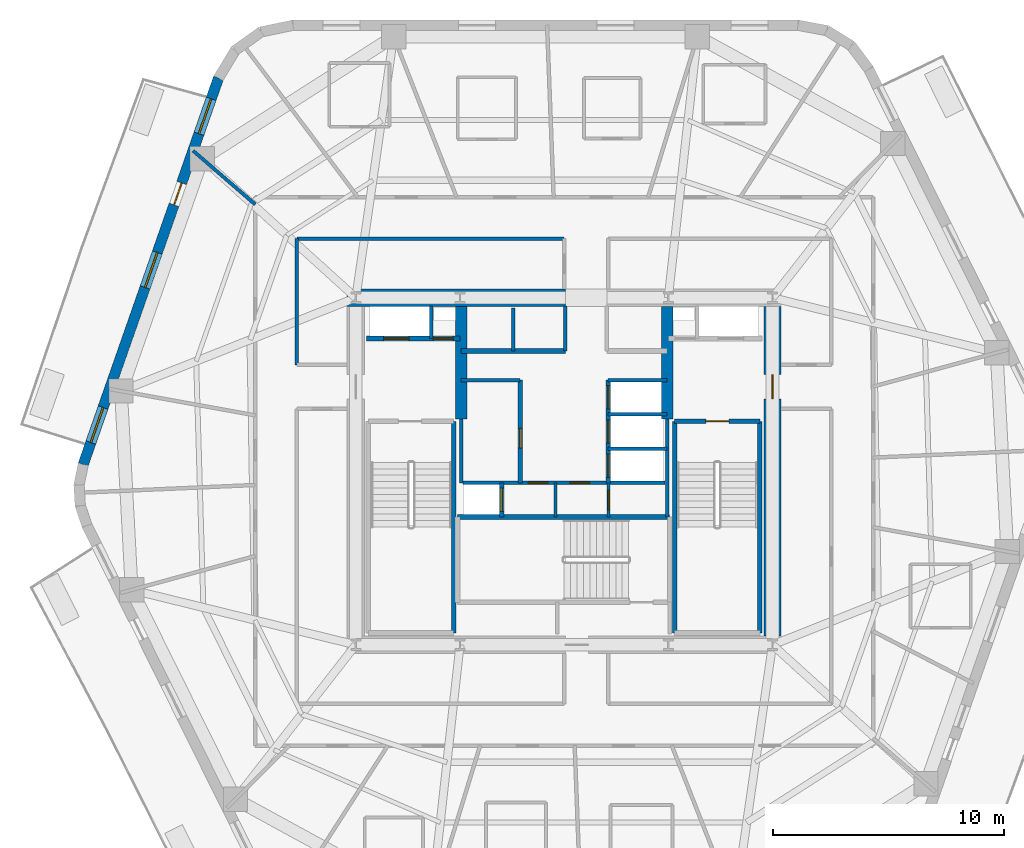
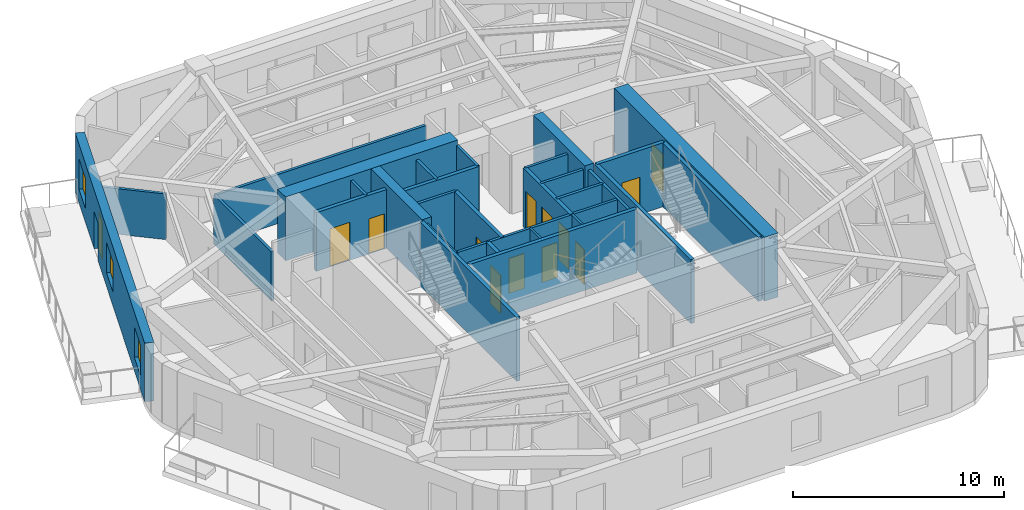
# One storey, part 4 of 10: 30 walls, 13 doors, 3 windows, 16 openings.
"""IFC4 building model written with IfcOpenShell, lengths in metres."""

from ifc_helpers import new_model, si_unit, direction, frame, frame_2d, origin, place, context, subcontext, project, spatial, rectangle, extrude, material, layer, layer_set, type_object, element, fill, save


model = new_model("IFC4")

# Units and contexts
model_context = context("Model", 3, precision=1e-05, world=origin(), true_north=direction((0.0, 1.0)))
body_context = subcontext(model_context, "Body", "Model", "MODEL_VIEW")
ifc_project = project(units=[si_unit("LENGTHUNIT", "METRE"), si_unit("AREAUNIT", "SQUARE_METRE"), si_unit("VOLUMEUNIT", "CUBIC_METRE"), si_unit("PLANEANGLEUNIT", "RADIAN"), si_unit("MASSUNIT", "GRAM", prefix="KILO")], contexts=[model_context])

# Site, building, storey
site_placement = place(None, origin())
site = spatial("IfcSite", under=ifc_project, at=site_placement, CompositionType="ELEMENT")
building_placement = place(site_placement, origin())
building = spatial("IfcBuilding", under=site, at=building_placement, Name="Kilnhurst Terrace Hotel", CompositionType="ELEMENT")
storey_placement = place(building_placement, frame((0.0, 0.0, 175.60009765625)))
storey = spatial("IfcBuildingStorey", under=building, at=storey_placement, Name="L43", CompositionType="ELEMENT", Elevation=175.60009765625)

# Wall, openings, door, windows
ifc_material_1 = material(Name="Precast concrete C40/50", Category="concrete")
ifc_layer_1 = layer(ifc_material_1, 0.449951171875, Name="Precast concrete C40/50")
ifc_layer_set_1 = layer_set([ifc_layer_1], Name="Precast concrete C40/50")
wall_type_1 = type_object("IfcWallType", Name="WL-BRK-450", PredefinedType="SOLIDWALL", material=ifc_layer_set_1)
wall_1_placement = place(storey_placement, frame((-14.936767578125, 16.993408203125, 0.0), z_axis=(0.0, 0.0, 1.0), x_axis=(-0.330431575061, -0.943829949834, 0.0)))
wall_1 = element("IfcWall", 1, at=wall_1_placement, inside=storey, type_object=wall_type_1, Name="L43 Exterior Brick Facade Wall F5", PredefinedType="SOLIDWALL", context=body_context, shape_type="SweptSolid", body=[
    extrude(rectangle(XDim=17.68896484375, YDim=0.449951171875, at=frame_2d((8.844482421875, 0.0))), origin(), (0.0, 0.0, 1.0), 3.39990234375),
])
opening_1_placement = place(wall_1_placement, frame((4.806884765625, 0.0, 0.0)))
opening_1 = element("IfcOpeningElement", 2, at=opening_1_placement, cuts=wall_1, Name="Opening BD-1000", PredefinedType="OPENING", context=body_context, shape_type="SweptSolid", body=[
    extrude(rectangle(XDim=1.0, YDim=2.14990234375, at=frame_2d((0.5, 1.074951171875))), frame((0.0, 0.23486328125, 0.0), z_axis=(0.0, -1.0, 0.0), x_axis=(1.0, 0.0, 0.0)), (0.0, 0.0, 1.0), 0.469970703125),
])
opening_2_placement = place(wall_1_placement, frame((0.949951171875, 0.0, 0.800048828125)))
opening_2 = element("IfcOpeningElement", 3, at=opening_2_placement, cuts=wall_1, Name="Opening W-05", PredefinedType="OPENING", context=body_context, shape_type="SweptSolid", body=[
    extrude(rectangle(XDim=1.60009765625, YDim=1.75, at=frame_2d((0.800048828125, 0.875))), frame((0.0, 0.23486328125, 0.0), z_axis=(0.0, -1.0, 0.0), x_axis=(1.0, 0.0, 0.0)), (0.0, 0.0, 1.0), 0.469970703125),
])
opening_3_placement = place(wall_1_placement, frame((7.989990234375, 0.0, 0.800048828125)))
opening_3 = element("IfcOpeningElement", 4, at=opening_3_placement, cuts=wall_1, Name="Opening W-05", PredefinedType="OPENING", context=body_context, shape_type="SweptSolid", body=[
    extrude(rectangle(XDim=1.60009765625, YDim=1.75, at=frame_2d((0.800048828125, 0.875))), frame((0.0, 0.23486328125, 0.0), z_axis=(0.0, -1.0, 0.0), x_axis=(1.0, 0.0, 0.0)), (0.0, 0.0, 1.0), 0.469970703125),
])
opening_4_placement = place(wall_1_placement, frame((15.083984375, 0.0, 0.800048828125)))
opening_4 = element("IfcOpeningElement", 5, at=opening_4_placement, cuts=wall_1, Name="Opening W-05", PredefinedType="OPENING", context=body_context, shape_type="SweptSolid", body=[
    extrude(rectangle(XDim=1.60009765625, YDim=1.75, at=frame_2d((0.800048828125, 0.875))), frame((0.0, 0.23486328125, 0.0), z_axis=(0.0, -1.0, 0.0), x_axis=(1.0, 0.0, 0.0)), (0.0, 0.0, 1.0), 0.469970703125),
])
ifc_material_2 = material(Name="Thermally Broken Bronze Aluminium Alloy 6063-T6 and Laminated Glass", Category="aluminium")
door_type_1 = type_object("IfcDoorType", Name="DR-EXT-BAL-1000", OperationType="NOTDEFINED", PredefinedType="DOOR", material=ifc_material_2)
door_1_placement = place(opening_1_placement, origin())
door_1 = element("IfcDoor", 6, at=door_1_placement, inside=storey, type_object=door_type_1, Name="L43 Planted Balcony Door BAL-L2A", OperationType="SINGLE_SWING_LEFT", OverallHeight=2.14990234375, OverallWidth=1.0, PredefinedType="DOOR", context=body_context, shape_type="SweptSolid", body=[
    extrude(rectangle(XDim=1.0, YDim=2.14990234375, at=frame_2d((0.5, 1.074951171875))), frame((0.0, 0.02490234375, 0.0), z_axis=(0.0, -1.0, 0.0), x_axis=(1.0, 0.0, 0.0)), (0.0, 0.0, 1.0), 0.050048828125),
])
fill(opening_1, door_1)
ifc_material_3 = material(Name="Thermally Broken Bronze Aluminium Alloy 6063-T6 and Low-E Glass", Category="aluminium")
window_type = type_object("IfcWindowType", Name="WIN-1600X1750", PartitioningType="SINGLE_PANEL", PredefinedType="WINDOW", material=ifc_material_3)
window_1_placement = place(opening_2_placement, origin())
window_1 = element("IfcWindow", 7, at=window_1_placement, inside=storey, type_object=window_type, Name="L43 Deep-Set Masonry Window F5.1", OverallHeight=1.75, OverallWidth=1.60009765625, PartitioningType="SINGLE_PANEL", PredefinedType="WINDOW", context=body_context, shape_type="SweptSolid", body=[
    extrude(rectangle(XDim=1.60009765625, YDim=1.75, at=frame_2d((0.800048828125, 0.875))), frame((0.0, 0.030029296875, 0.0), z_axis=(0.0, -1.0, 0.0), x_axis=(1.0, 0.0, 0.0)), (0.0, 0.0, 1.0), 0.06005859375),
])
fill(opening_2, window_1)
window_2_placement = place(opening_3_placement, origin())
window_2 = element("IfcWindow", 8, at=window_2_placement, inside=storey, type_object=window_type, Name="L43 Deep-Set Masonry Window F5.2", OverallHeight=1.75, OverallWidth=1.60009765625, PartitioningType="SINGLE_PANEL", PredefinedType="WINDOW", context=body_context, shape_type="SweptSolid", body=[
    extrude(rectangle(XDim=1.60009765625, YDim=1.75, at=frame_2d((0.800048828125, 0.875))), frame((0.0, 0.030029296875, 0.0), z_axis=(0.0, -1.0, 0.0), x_axis=(1.0, 0.0, 0.0)), (0.0, 0.0, 1.0), 0.06005859375),
])
fill(opening_3, window_2)
window_3_placement = place(opening_4_placement, origin())
window_3 = element("IfcWindow", 9, at=window_3_placement, inside=storey, type_object=window_type, Name="L43 Deep-Set Masonry Window F5.3", OverallHeight=1.75, OverallWidth=1.60009765625, PartitioningType="SINGLE_PANEL", PredefinedType="WINDOW", context=body_context, shape_type="SweptSolid", body=[
    extrude(rectangle(XDim=1.60009765625, YDim=1.75, at=frame_2d((0.800048828125, 0.875))), frame((0.0, 0.030029296875, 0.0), z_axis=(0.0, -1.0, 0.0), x_axis=(1.0, 0.0, 0.0)), (0.0, 0.0, 1.0), 0.06005859375),
])
fill(opening_4, window_3)

# Walls
ifc_material_4 = material(Name="Acoustic Double-Gypsum Corridor Partition Assembly")
ifc_layer_2 = layer(ifc_material_4, 0.14990234375, Name="Acoustic Double-Gypsum Corridor Partition Assembly")
ifc_layer_set_2 = layer_set([ifc_layer_2], Name="Acoustic Double-Gypsum Corridor Partition Assembly")
wall_type_2 = type_object("IfcWallType", Name="WL-COR-150", PredefinedType="PARTITIONING", material=ifc_layer_set_2)
wall_2_placement = place(storey_placement, frame((0.0, 10.050048828125, 0.0), z_axis=(0.0, 0.0, 1.0), x_axis=(-1.0, 0.0, 0.0)))
element("IfcWall", 10, at=wall_2_placement, inside=storey, type_object=wall_type_2, Name="L43 Interior Wall WL-L43-COR-12", PredefinedType="PARTITIONING", context=body_context, shape_type="SweptSolid", body=[
    extrude(rectangle(XDim=11.550048828125, YDim=0.14990234375, at=frame_2d((5.77490234375, 0.0))), origin(), (0.0, 0.0, 1.0), 2.83984375),
])
wall_3_placement = place(storey_placement, frame((-11.550048828125, 10.050048828125, 0.0), z_axis=(0.0, 0.0, 1.0), x_axis=(0.0, -1.0, 0.0)))
element("IfcWall", 11, at=wall_3_placement, inside=storey, type_object=wall_type_2, Name="L43 Interior Wall WL-L43-COR-13", PredefinedType="PARTITIONING", context=body_context, shape_type="SweptSolid", body=[
    extrude(rectangle(XDim=5.449951171875, YDim=0.14990234375, at=frame_2d((2.72509765625, 0.0))), origin(), (0.0, 0.0, 1.0), 2.83984375),
])
ifc_material_5 = material(Name="Concrete C60/75", Category="concrete")
ifc_layer_3 = layer(ifc_material_5, 0.75, Name="Concrete C60/75")
ifc_layer_set_3 = layer_set([ifc_layer_3], Name="Concrete C60/75")
wall_type_3 = type_object("IfcWallType", Name="WL-CORE-750", PredefinedType="SHEAR", material=ifc_layer_set_3)
wall_4_placement = place(storey_placement, frame((-9.375, 7.5, 0.0), z_axis=(0.0, 0.0, 1.0), x_axis=(1.0, 0.0, 0.0)))
element("IfcWall", 12, at=wall_4_placement, inside=storey, type_object=wall_type_3, Name="L43 Core North West Shear Wall", PredefinedType="SHEAR", context=body_context, shape_type="SweptSolid", body=[
    extrude(rectangle(XDim=9.425048828125, YDim=0.75, at=frame_2d((4.71240234375, 0.0))), origin(), (0.0, 0.0, 1.0), 3.699951171875),
])

# Wall, opening, door
wall_5_placement = place(storey_placement, frame((9.0, -7.125, 0.0), z_axis=(0.0, 0.0, 1.0), x_axis=(0.0, 1.0, 0.0)))
wall_5 = element("IfcWall", 13, at=wall_5_placement, inside=storey, type_object=wall_type_3, Name="L43 Core East Shear Wall", PredefinedType="SHEAR", context=body_context, shape_type="SweptSolid", body=[
    extrude(rectangle(XDim=14.25, YDim=0.75, at=frame_2d((7.125, 0.0))), origin(), (0.0, 0.0, 1.0), 3.699951171875),
])
opening_5_placement = place(wall_5_placement, frame((10.25, 0.0, 0.0)))
opening_5 = element("IfcOpeningElement", 14, at=opening_5_placement, cuts=wall_5, Name="Opening D-90A", PredefinedType="OPENING", context=body_context, shape_type="SweptSolid", body=[
    extrude(rectangle(XDim=1.050048828125, YDim=2.14990234375, at=frame_2d((0.52490234375, 1.074951171875))), frame((0.0, 0.385009765625, 0.0), z_axis=(0.0, -1.0, 0.0), x_axis=(1.0, 0.0, 0.0)), (0.0, 0.0, 1.0), 0.77001953125),
])
ifc_material_6 = material(Name="Painted Hollow Metal Steel ASTM A36 Fire Door", Category="steel")
door_type_2 = type_object("IfcDoorType", Name="DR-FD90-1050", OperationType="NOTDEFINED", PredefinedType="DOOR", material=ifc_material_6)
door_2_placement = place(opening_5_placement, origin())
door_2 = element("IfcDoor", 15, at=door_2_placement, inside=storey, type_object=door_type_2, Name="L43 East Firefighting Lobby Door", OperationType="SINGLE_SWING_LEFT", OverallHeight=2.14990234375, OverallWidth=1.050048828125, PredefinedType="DOOR", context=body_context, shape_type="SweptSolid", body=[
    extrude(rectangle(XDim=1.050048828125, YDim=2.14990234375, at=frame_2d((0.52490234375, 1.074951171875))), frame((0.0, 0.02490234375, 0.0), z_axis=(0.0, -1.0, 0.0), x_axis=(1.0, 0.0, 0.0)), (0.0, 0.0, 1.0), 0.050048828125),
])
fill(opening_5, door_2)

# Walls
ifc_layer_4 = layer(ifc_material_5, 0.5, Name="Concrete C60/75")
ifc_layer_set_4 = layer_set([ifc_layer_4], Name="Concrete C60/75")
wall_type_4 = type_object("IfcWallType", Name="WL-CORE-WEB-500", PredefinedType="SHEAR", material=ifc_layer_set_4)
for number, where, z_axis, x_axis, name in (
    (16, (-4.449951171875, 2.25, 0.0), (0.0, 0.0, 1.0), (0.0, 1.0, 0.0), "L43 Core Internal West Shear Web"),
    (17, (4.449951171875, 2.25, 0.0), (0.0, 0.0, 1.0), (0.0, 1.0, 0.0), "L43 Core Internal East Shear Web"),
):
    element("IfcWall", number, at=place(storey_placement, frame(where, z_axis=z_axis, x_axis=x_axis)), inside=storey, type_object=wall_type_4, Name=name, PredefinedType="SHEAR", context=body_context, shape_type="SweptSolid", body=[
        extrude(rectangle(XDim=4.875, YDim=0.5, at=frame_2d((2.4375, 0.0))), origin(), (0.0, 0.0, 1.0), 3.699951171875),
    ])
ifc_material_7 = material(Name="STC-58 Acoustic Twin-Frame Guestroom Demising Partition")
ifc_layer_5 = layer(ifc_material_7, 0.14990234375, Name="STC-58 Acoustic Twin-Frame Guestroom Demising Partition")
ifc_layer_set_5 = layer_set([ifc_layer_5], Name="STC-58 Acoustic Twin-Frame Guestroom Demising Partition")
wall_type_5 = type_object("IfcWallType", Name="WL-DEM-150", PredefinedType="PARTITIONING", material=ifc_layer_set_5)
wall_6_placement = place(storey_placement, frame((-13.35009765625, 11.53271484375, 0.0), z_axis=(0.0, 0.0, 1.0), x_axis=(-0.756711647314, 0.65374879183, 0.0)))
element("IfcWall", 18, at=wall_6_placement, inside=storey, type_object=wall_type_5, Name="L43 Interior Wall WL-L43-DEM-COL05-09-1", PredefinedType="PARTITIONING", context=body_context, shape_type="SweptSolid", body=[
    extrude(rectangle(XDim=3.549560546875, YDim=0.14990234375, at=frame_2d((1.77490234375, 0.0))), origin(), (0.0, 0.0, 1.0), 2.639892578125),
])
ifc_material_8 = material(Name="120 mm Moisture-Resistant Tile-Backed Bathroom Partition")
ifc_layer_6 = layer(ifc_material_8, 0.1201171875, Name="120 mm Moisture-Resistant Tile-Backed Bathroom Partition")
ifc_layer_set_6 = layer_set([ifc_layer_6], Name="120 mm Moisture-Resistant Tile-Backed Bathroom Partition")
wall_type_6 = type_object("IfcWallType", Name="WL-PART-120", PredefinedType="PARTITIONING", material=ifc_layer_set_6)
wall_7_placement = place(storey_placement, frame((-0.3798828125, -1.971923828125, 0.0), z_axis=(0.0, 0.0, 1.0), x_axis=(0.0, 1.0, 0.0)))
element("IfcWall", 19, at=wall_7_placement, inside=storey, type_object=wall_type_6, Name="L43 Interior Wall WL-L43-BOH-C1", PredefinedType="PARTITIONING", context=body_context, shape_type="SweptSolid", body=[
    extrude(rectangle(XDim=1.471923828125, YDim=0.1201171875, at=frame_2d((0.73583984375, 0.0))), origin(), (0.0, 0.0, 1.0), 3.39990234375),
])

# Wall, opening, door
wall_8_placement = place(storey_placement, frame((1.919921875, -1.971923828125, 0.0), z_axis=(0.0, 0.0, 1.0), x_axis=(0.0, 1.0, 0.0)))
wall_8 = element("IfcWall", 20, at=wall_8_placement, inside=storey, type_object=wall_type_6, Name="L43 Interior Wall WL-L43-BOH-C2", PredefinedType="PARTITIONING", context=body_context, shape_type="SweptSolid", body=[
    extrude(rectangle(XDim=1.471923828125, YDim=0.1201171875, at=frame_2d((0.73583984375, 0.0))), origin(), (0.0, 0.0, 1.0), 3.39990234375),
])
opening_6_placement = place(wall_8_placement, frame((0.300048828125, 0.0, 0.0)))
opening_6 = element("IfcOpeningElement", 21, at=opening_6_placement, cuts=wall_8, Name="Opening D-08A", PredefinedType="OPENING", context=body_context, shape_type="SweptSolid", body=[
    extrude(rectangle(XDim=0.85009765625, YDim=2.030029296875, at=frame_2d((0.425048828125, 1.01513671875))), frame((0.0, 0.070068359375, 0.0), z_axis=(0.0, -1.0, 0.0), x_axis=(1.0, 0.0, 0.0)), (0.0, 0.0, 1.0), 0.14013671875),
])
ifc_material_9 = material(Name="Moisture-Resistant Lacquered En-suite Bathroom Door")
door_type_3 = type_object("IfcDoorType", Name="DR-INT-850", OperationType="NOTDEFINED", PredefinedType="DOOR", material=ifc_material_9)
door_3_placement = place(opening_6_placement, origin())
door_3 = element("IfcDoor", 22, at=door_3_placement, inside=storey, type_object=door_type_3, Name="L43 Staff Restroom Door", OperationType="SINGLE_SWING_RIGHT", OverallHeight=2.030029296875, OverallWidth=0.85009765625, PredefinedType="DOOR", context=body_context, shape_type="SweptSolid", body=[
    extrude(rectangle(XDim=0.85009765625, YDim=2.030029296875, at=frame_2d((0.425048828125, 1.01513671875))), frame((0.0, 0.02490234375, 0.0), z_axis=(0.0, -1.0, 0.0), x_axis=(1.0, 0.0, 0.0)), (0.0, 0.0, 1.0), 0.050048828125),
])
fill(opening_6, door_3)

# Walls
ifc_material_10 = material(Name="Fire-Rated Gypsum Shaftliner Assembly")
ifc_layer_7 = layer(ifc_material_10, 0.14990234375, Name="Fire-Rated Gypsum Shaftliner Assembly")
ifc_layer_set_7 = layer_set([ifc_layer_7], Name="Fire-Rated Gypsum Shaftliner Assembly")
wall_type_7 = type_object("IfcWallType", Name="WL-SHAFT-150", PredefinedType="PARTITIONING", material=ifc_layer_set_7)
wall_9_placement = place(storey_placement, frame((-5.75, 5.739990234375, 0.0), z_axis=(0.0, 0.0, 1.0), x_axis=(0.0, 1.0, 0.0)))
element("IfcWall", 23, at=wall_9_placement, inside=storey, type_object=wall_type_7, Name="L43 Interior Wall WL-L43-RIS1-DIV", PredefinedType="PARTITIONING", context=body_context, shape_type="SweptSolid", body=[
    extrude(rectangle(XDim=1.409912109375, YDim=0.14990234375, at=frame_2d((0.705078125, 0.0))), origin(), (0.0, 0.0, 1.0), 3.39990234375),
])
wall_10_placement = place(storey_placement, frame((-2.199951171875, 5.199951171875, 0.0), z_axis=(0.0, 0.0, 1.0), x_axis=(0.0, 1.0, 0.0)))
element("IfcWall", 24, at=wall_10_placement, inside=storey, type_object=wall_type_7, Name="L43 Interior Wall WL-L43-HR-DIV1", PredefinedType="PARTITIONING", context=body_context, shape_type="SweptSolid", body=[
    extrude(rectangle(XDim=1.85009765625, YDim=0.14990234375, at=frame_2d((0.925048828125, 0.0))), origin(), (0.0, 0.0, 1.0), 3.39990234375),
])
wall_11_placement = place(storey_placement, frame((0.050048828125, 5.199951171875, 0.0), z_axis=(0.0, 0.0, 1.0), x_axis=(0.0, 1.0, 0.0)))
element("IfcWall", 25, at=wall_11_placement, inside=storey, type_object=wall_type_7, Name="L43 Interior Wall WL-L43-HR-PORTAL-W", PredefinedType="PARTITIONING", context=body_context, shape_type="SweptSolid", body=[
    extrude(rectangle(XDim=1.949951171875, YDim=0.14990234375, at=frame_2d((0.97509765625, 0.0))), origin(), (0.0, 0.0, 1.0), 3.39990234375),
])
wall_12_placement = place(storey_placement, frame((-4.449951171875, -0.5, 0.0), z_axis=(0.0, 0.0, 1.0), x_axis=(0.0, 1.0, 0.0)))
element("IfcWall", 26, at=wall_12_placement, inside=storey, type_object=wall_type_7, Name="L43 Interior Wall WL-L43-XLOB-W", PredefinedType="PARTITIONING", context=body_context, shape_type="SweptSolid", body=[
    extrude(rectangle(XDim=2.75, YDim=0.14990234375, at=frame_2d((1.375, 0.0))), origin(), (0.0, 0.0, 1.0), 3.39990234375),
])
wall_13_placement = place(storey_placement, frame((4.449951171875, -1.971923828125, 0.0), z_axis=(0.0, 0.0, 1.0), x_axis=(0.0, 1.0, 0.0)))
element("IfcWall", 27, at=wall_13_placement, inside=storey, type_object=wall_type_7, Name="L43 Interior Wall WL-L43-XLOB-E", PredefinedType="PARTITIONING", context=body_context, shape_type="SweptSolid", body=[
    extrude(rectangle(XDim=4.221923828125, YDim=0.14990234375, at=frame_2d((2.11083984375, 0.0))), origin(), (0.0, 0.0, 1.0), 3.39990234375),
])
for number, where, z_axis, x_axis, name in (
    (28, (-4.449951171875, 3.93994140625, 0.0), (0.0, 0.0, 1.0), (1.0, 0.0, 0.0), "L43 Interior Wall WL-L43-LR-NORTH"),
    (29, (1.89990234375, 3.93994140625, 0.0), (0.0, 0.0, 1.0), (1.0, 0.0, 0.0), "L43 Interior Wall WL-L43-MR-NORTH"),
    (30, (1.89990234375, 0.97998046875, 0.0), (0.0, 0.0, 1.0), (1.0, 0.0, 0.0), "L43 Interior Wall WL-L43-MR-D1"),
    (31, (1.89990234375, 2.4599609375, 0.0), (0.0, 0.0, 1.0), (1.0, 0.0, 0.0), "L43 Interior Wall WL-L43-MR-D2"),
):
    element("IfcWall", number, at=place(storey_placement, frame(where, z_axis=z_axis, x_axis=x_axis)), inside=storey, type_object=wall_type_7, Name=name, PredefinedType="PARTITIONING", context=body_context, shape_type="SweptSolid", body=[
        extrude(rectangle(XDim=2.550048828125, YDim=0.14990234375, at=frame_2d((1.27490234375, 0.0))), origin(), (0.0, 0.0, 1.0), 3.39990234375),
    ])

# Wall, openings, doors
wall_14_placement = place(storey_placement, frame((-4.360107421875, -0.489990234375, 0.0), z_axis=(0.0, 0.0, 1.0), x_axis=(1.0, 0.0, 0.0)))
wall_14 = element("IfcWall", 32, at=wall_14_placement, inside=storey, type_object=wall_type_7, Name="L43 Interior Wall WL-L43-BOH-N", PredefinedType="PARTITIONING", context=body_context, shape_type="SweptSolid", body=[
    extrude(rectangle(XDim=8.72021484375, YDim=0.14990234375, at=frame_2d((4.360107421875, 0.0))), origin(), (0.0, 0.0, 1.0), 3.39990234375),
])
opening_7_placement = place(wall_14_placement, frame((2.81005859375, 0.0, 0.0)))
opening_7 = element("IfcOpeningElement", 33, at=opening_7_placement, cuts=wall_14, Name="Opening D-60D", PredefinedType="OPENING", context=body_context, shape_type="SweptSolid", body=[
    extrude(rectangle(XDim=0.85009765625, YDim=2.030029296875, at=frame_2d((0.425048828125, 1.01513671875))), frame((0.0, 0.0849609375, 0.0), z_axis=(0.0, -1.0, 0.0), x_axis=(1.0, 0.0, 0.0)), (0.0, 0.0, 1.0), 0.169921875),
])
opening_8_placement = place(wall_14_placement, frame((4.610107421875, 0.0, 0.0)))
opening_8 = element("IfcOpeningElement", 34, at=opening_8_placement, cuts=wall_14, Name="Opening D-60D", PredefinedType="OPENING", context=body_context, shape_type="SweptSolid", body=[
    extrude(rectangle(XDim=0.85009765625, YDim=2.030029296875, at=frame_2d((0.425048828125, 1.01513671875))), frame((0.0, 0.0849609375, 0.0), z_axis=(0.0, -1.0, 0.0), x_axis=(1.0, 0.0, 0.0)), (0.0, 0.0, 1.0), 0.169921875),
])
ifc_material_11 = material(Name="Painted Hollow Metal Steel ASTM A36 Riser Door", Category="steel")
door_type_4 = type_object("IfcDoorType", Name="DR-FD60-850", OperationType="NOTDEFINED", PredefinedType="DOOR", material=ifc_material_11)
door_4_placement = place(opening_7_placement, origin())
door_4 = element("IfcDoor", 35, at=door_4_placement, inside=storey, type_object=door_type_4, Name="L43 Housekeeping Station Door", OperationType="SINGLE_SWING_LEFT", OverallHeight=2.030029296875, OverallWidth=0.85009765625, PredefinedType="DOOR", context=body_context, shape_type="SweptSolid", body=[
    extrude(rectangle(XDim=0.85009765625, YDim=2.030029296875, at=frame_2d((0.425048828125, 1.01513671875))), frame((0.0, 0.02490234375, 0.0), z_axis=(0.0, -1.0, 0.0), x_axis=(1.0, 0.0, 0.0)), (0.0, 0.0, 1.0), 0.050048828125),
])
fill(opening_7, door_4)
door_5_placement = place(opening_8_placement, origin())
door_5 = element("IfcDoor", 36, at=door_5_placement, inside=storey, type_object=door_type_4, Name="L43 Beverage Pantry Door", OperationType="SINGLE_SWING_RIGHT", OverallHeight=2.030029296875, OverallWidth=0.85009765625, PredefinedType="DOOR", context=body_context, shape_type="SweptSolid", body=[
    extrude(rectangle(XDim=0.85009765625, YDim=2.030029296875, at=frame_2d((0.425048828125, 1.01513671875))), frame((0.0, 0.02490234375, 0.0), z_axis=(0.0, -1.0, 0.0), x_axis=(1.0, 0.0, 0.0)), (0.0, 0.0, 1.0), 0.050048828125),
])
fill(opening_8, door_5)

ifc_material_12 = material(Name="Autoclaved Aerated Concrete C30/37 and Gypsum Shaft Assembly", Category="concrete")
ifc_layer_8 = layer(ifc_material_12, 0.199951171875, Name="Autoclaved Aerated Concrete C30/37 and Gypsum Shaft Assembly")
ifc_layer_set_8 = layer_set([ifc_layer_8], Name="Autoclaved Aerated Concrete C30/37 and Gypsum Shaft Assembly")
wall_type_8 = type_object("IfcWallType", Name="WL-SHAFT-200", PredefinedType="PARTITIONING", material=ifc_layer_set_8)
wall_15_placement = place(storey_placement, frame((-8.550048828125, 5.739990234375, 0.0), z_axis=(0.0, 0.0, 1.0), x_axis=(1.0, 0.0, 0.0)))
wall_15 = element("IfcWall", 37, at=wall_15_placement, inside=storey, type_object=wall_type_8, Name="L43 Interior Wall WL-L43-FSAE1-S", PredefinedType="PARTITIONING", context=body_context, shape_type="SweptSolid", body=[
    extrude(rectangle(XDim=4.050048828125, YDim=0.199951171875, at=frame_2d((2.02490234375, 0.0))), origin(), (0.0, 0.0, 1.0), 3.39990234375),
])
opening_9_placement = place(wall_15_placement, frame((0.75, 0.0, 0.0)))
opening_9 = element("IfcOpeningElement", 38, at=opening_9_placement, cuts=wall_15, Name="Opening LD-F1", PredefinedType="OPENING", context=body_context, shape_type="SweptSolid", body=[
    extrude(rectangle(XDim=1.10009765625, YDim=2.199951171875, at=frame_2d((0.550048828125, 1.10009765625))), frame((0.0, 0.10986328125, 0.0), z_axis=(0.0, -1.0, 0.0), x_axis=(1.0, 0.0, 0.0)), (0.0, 0.0, 1.0), 0.219970703125),
])
opening_10_placement = place(wall_15_placement, frame((2.89990234375, 0.0, 0.0)))
opening_10 = element("IfcOpeningElement", 39, at=opening_10_placement, cuts=wall_15, Name="Opening D-60D", PredefinedType="OPENING", context=body_context, shape_type="SweptSolid", body=[
    extrude(rectangle(XDim=0.85009765625, YDim=2.030029296875, at=frame_2d((0.425048828125, 1.01513671875))), frame((0.0, 0.10986328125, 0.0), z_axis=(0.0, -1.0, 0.0), x_axis=(1.0, 0.0, 0.0)), (0.0, 0.0, 1.0), 0.219970703125),
])
door_6_placement = place(opening_10_placement, origin())
door_6 = element("IfcDoor", 40, at=door_6_placement, inside=storey, type_object=door_type_4, Name="L43 Electrical Riser Door", OperationType="SINGLE_SWING_LEFT", OverallHeight=2.030029296875, OverallWidth=0.85009765625, PredefinedType="DOOR", context=body_context, shape_type="SweptSolid", body=[
    extrude(rectangle(XDim=0.85009765625, YDim=2.030029296875, at=frame_2d((0.425048828125, 1.01513671875))), frame((0.0, 0.02490234375, 0.0), z_axis=(0.0, -1.0, 0.0), x_axis=(1.0, 0.0, 0.0)), (0.0, 0.0, 1.0), 0.050048828125),
])
fill(opening_10, door_6)
ifc_material_13 = material(Name="Bronze-Anodized Stainless Steel AISI 316L Sliding Door", Category="steel")
door_type_5 = type_object("IfcDoorType", Name="DR-LIFT-1100", OperationType="NOTDEFINED", PredefinedType="DOOR", material=ifc_material_13)
door_7_placement = place(opening_9_placement, origin())
door_7 = element("IfcDoor", 41, at=door_7_placement, inside=storey, type_object=door_type_5, Name="L43 FSAE-1 Landing Door", OperationType="SLIDING_TO_LEFT", OverallHeight=2.199951171875, OverallWidth=1.10009765625, PredefinedType="DOOR", context=body_context, shape_type="SweptSolid", body=[
    extrude(rectangle(XDim=1.10009765625, YDim=2.199951171875, at=frame_2d((0.550048828125, 1.10009765625))), frame((0.0, 0.02490234375, 0.0), z_axis=(0.0, -1.0, 0.0), x_axis=(1.0, 0.0, 0.0)), (0.0, 0.0, 1.0), 0.050048828125),
])
fill(opening_9, door_7)

# Wall, opening, door
wall_16_placement = place(storey_placement, frame((-2.699951171875, -1.971923828125, 0.0), z_axis=(0.0, 0.0, 1.0), x_axis=(0.0, 1.0, 0.0)))
wall_16 = element("IfcWall", 42, at=wall_16_placement, inside=storey, type_object=wall_type_8, Name="L43 Interior Wall WL-L43-SRV1-E", PredefinedType="PARTITIONING", context=body_context, shape_type="SweptSolid", body=[
    extrude(rectangle(XDim=1.471923828125, YDim=0.199951171875, at=frame_2d((0.73583984375, 0.0))), origin(), (0.0, 0.0, 1.0), 3.39990234375),
])
opening_11_placement = place(wall_16_placement, frame((0.239990234375, 0.0, 0.0)))
opening_11 = element("IfcOpeningElement", 43, at=opening_11_placement, cuts=wall_16, Name="Opening LD-SV", PredefinedType="OPENING", context=body_context, shape_type="SweptSolid", body=[
    extrude(rectangle(XDim=1.0, YDim=2.199951171875, at=frame_2d((0.5, 1.10009765625))), frame((0.0, 0.10986328125, 0.0), z_axis=(0.0, -1.0, 0.0), x_axis=(1.0, 0.0, 0.0)), (0.0, 0.0, 1.0), 0.219970703125),
])
door_type_6 = type_object("IfcDoorType", Name="DR-LIFT-1000", OperationType="NOTDEFINED", PredefinedType="DOOR", material=ifc_material_13)
door_8_placement = place(opening_11_placement, origin())
door_8 = element("IfcDoor", 44, at=door_8_placement, inside=storey, type_object=door_type_6, Name="L43 Service Lift SRV-1 Landing Door", OperationType="SLIDING_TO_LEFT", OverallHeight=2.199951171875, OverallWidth=1.0, PredefinedType="DOOR", context=body_context, shape_type="SweptSolid", body=[
    extrude(rectangle(XDim=1.0, YDim=2.199951171875, at=frame_2d((0.5, 1.10009765625))), frame((0.0, 0.02490234375, 0.0), z_axis=(0.0, -1.0, 0.0), x_axis=(1.0, 0.0, 0.0)), (0.0, 0.0, 1.0), 0.050048828125),
])
fill(opening_11, door_8)

# Wall
wall_17_placement = place(storey_placement, frame((-4.449951171875, 5.199951171875, 0.0), z_axis=(0.0, 0.0, 1.0), x_axis=(1.0, 0.0, 0.0)))
element("IfcWall", 45, at=wall_17_placement, inside=storey, type_object=wall_type_8, Name="L43 Interior Wall WL-L43-HR-SW", PredefinedType="PARTITIONING", context=body_context, shape_type="SweptSolid", body=[
    extrude(rectangle(XDim=4.5, YDim=0.199951171875, at=frame_2d((2.25, 0.0))), origin(), (0.0, 0.0, 1.0), 3.39990234375),
])

# Wall, opening, door
wall_18_placement = place(storey_placement, frame((-1.89990234375, -0.5, 0.0), z_axis=(0.0, 0.0, 1.0), x_axis=(0.0, 1.0, 0.0)))
wall_18 = element("IfcWall", 46, at=wall_18_placement, inside=storey, type_object=wall_type_8, Name="L43 Interior Wall WL-L43-LR-FRONT", PredefinedType="PARTITIONING", context=body_context, shape_type="SweptSolid", body=[
    extrude(rectangle(XDim=4.43994140625, YDim=0.199951171875, at=frame_2d((2.219970703125, 0.0))), origin(), (0.0, 0.0, 1.0), 3.39990234375),
])
opening_12_placement = place(wall_18_placement, frame((1.5, 0.0, 0.0)))
opening_12 = element("IfcOpeningElement", 47, at=opening_12_placement, cuts=wall_18, Name="Opening D-60D", PredefinedType="OPENING", context=body_context, shape_type="SweptSolid", body=[
    extrude(rectangle(XDim=0.85009765625, YDim=2.030029296875, at=frame_2d((0.425048828125, 1.01513671875))), frame((0.0, 0.10986328125, 0.0), z_axis=(0.0, -1.0, 0.0), x_axis=(1.0, 0.0, 0.0)), (0.0, 0.0, 1.0), 0.219970703125),
])
door_9_placement = place(opening_12_placement, origin())
door_9 = element("IfcDoor", 48, at=door_9_placement, inside=storey, type_object=door_type_4, Name="L43 Reclaimed Linen Room Door", OperationType="SINGLE_SWING_LEFT", OverallHeight=2.030029296875, OverallWidth=0.85009765625, PredefinedType="DOOR", context=body_context, shape_type="SweptSolid", body=[
    extrude(rectangle(XDim=0.85009765625, YDim=2.030029296875, at=frame_2d((0.425048828125, 1.01513671875))), frame((0.0, 0.02490234375, 0.0), z_axis=(0.0, -1.0, 0.0), x_axis=(1.0, 0.0, 0.0)), (0.0, 0.0, 1.0), 0.050048828125),
])
fill(opening_12, door_9)

# Wall, openings, doors
wall_19_placement = place(storey_placement, frame((1.89990234375, -0.5, 0.0), z_axis=(0.0, 0.0, 1.0), x_axis=(0.0, 1.0, 0.0)))
wall_19 = element("IfcWall", 49, at=wall_19_placement, inside=storey, type_object=wall_type_8, Name="L43 Interior Wall WL-L43-MR-FRONT", PredefinedType="PARTITIONING", context=body_context, shape_type="SweptSolid", body=[
    extrude(rectangle(XDim=4.43994140625, YDim=0.199951171875, at=frame_2d((2.219970703125, 0.0))), origin(), (0.0, 0.0, 1.0), 3.39990234375),
])
opening_13_placement = place(wall_19_placement, frame((0.239990234375, 0.0, 0.0)))
opening_13 = element("IfcOpeningElement", 50, at=opening_13_placement, cuts=wall_19, Name="Opening LD-MR", PredefinedType="OPENING", context=body_context, shape_type="SweptSolid", body=[
    extrude(rectangle(XDim=1.0, YDim=2.199951171875, at=frame_2d((0.5, 1.10009765625))), frame((0.0, 0.10986328125, 0.0), z_axis=(0.0, -1.0, 0.0), x_axis=(1.0, 0.0, 0.0)), (0.0, 0.0, 1.0), 0.219970703125),
])
opening_14_placement = place(wall_19_placement, frame((1.719970703125, 0.0, 0.0)))
opening_14 = element("IfcOpeningElement", 51, at=opening_14_placement, cuts=wall_19, Name="Opening LD-MR", PredefinedType="OPENING", context=body_context, shape_type="SweptSolid", body=[
    extrude(rectangle(XDim=1.0, YDim=2.199951171875, at=frame_2d((0.5, 1.10009765625))), frame((0.0, 0.10986328125, 0.0), z_axis=(0.0, -1.0, 0.0), x_axis=(1.0, 0.0, 0.0)), (0.0, 0.0, 1.0), 0.219970703125),
])
opening_15_placement = place(wall_19_placement, frame((3.199951171875, 0.0, 0.0)))
opening_15 = element("IfcOpeningElement", 52, at=opening_15_placement, cuts=wall_19, Name="Opening LD-MR", PredefinedType="OPENING", context=body_context, shape_type="SweptSolid", body=[
    extrude(rectangle(XDim=1.0, YDim=2.199951171875, at=frame_2d((0.5, 1.10009765625))), frame((0.0, 0.10986328125, 0.0), z_axis=(0.0, -1.0, 0.0), x_axis=(1.0, 0.0, 0.0)), (0.0, 0.0, 1.0), 0.219970703125),
])
door_10_placement = place(opening_13_placement, origin())
door_10 = element("IfcDoor", 53, at=door_10_placement, inside=storey, type_object=door_type_6, Name="L43 Mid Rise Lift MR-1 Landing Door", OperationType="SLIDING_TO_RIGHT", OverallHeight=2.199951171875, OverallWidth=1.0, PredefinedType="DOOR", context=body_context, shape_type="SweptSolid", body=[
    extrude(rectangle(XDim=1.0, YDim=2.199951171875, at=frame_2d((0.5, 1.10009765625))), frame((0.0, 0.02490234375, 0.0), z_axis=(0.0, -1.0, 0.0), x_axis=(1.0, 0.0, 0.0)), (0.0, 0.0, 1.0), 0.050048828125),
])
fill(opening_13, door_10)
door_11_placement = place(opening_14_placement, origin())
door_11 = element("IfcDoor", 54, at=door_11_placement, inside=storey, type_object=door_type_6, Name="L43 Mid Rise Lift MR-2 Landing Door", OperationType="SLIDING_TO_RIGHT", OverallHeight=2.199951171875, OverallWidth=1.0, PredefinedType="DOOR", context=body_context, shape_type="SweptSolid", body=[
    extrude(rectangle(XDim=1.0, YDim=2.199951171875, at=frame_2d((0.5, 1.10009765625))), frame((0.0, 0.02490234375, 0.0), z_axis=(0.0, -1.0, 0.0), x_axis=(1.0, 0.0, 0.0)), (0.0, 0.0, 1.0), 0.050048828125),
])
fill(opening_14, door_11)
door_12_placement = place(opening_15_placement, origin())
door_12 = element("IfcDoor", 55, at=door_12_placement, inside=storey, type_object=door_type_6, Name="L43 Mid Rise Lift MR-3 Landing Door", OperationType="SLIDING_TO_RIGHT", OverallHeight=2.199951171875, OverallWidth=1.0, PredefinedType="DOOR", context=body_context, shape_type="SweptSolid", body=[
    extrude(rectangle(XDim=1.0, YDim=2.199951171875, at=frame_2d((0.5, 1.10009765625))), frame((0.0, 0.02490234375, 0.0), z_axis=(0.0, -1.0, 0.0), x_axis=(1.0, 0.0, 0.0)), (0.0, 0.0, 1.0), 0.050048828125),
])
fill(opening_15, door_12)

# Walls
ifc_material_14 = material(Name="Concrete C50/60", Category="concrete")
ifc_layer_9 = layer(ifc_material_14, 0.199951171875, Name="Concrete C50/60")
ifc_layer_set_9 = layer_set([ifc_layer_9], Name="Concrete C50/60")
wall_type_9 = type_object("IfcWallType", Name="WL-STAIR-RC-200", PredefinedType="SHEAR", material=ifc_layer_set_9)
for number, where, z_axis, x_axis, name in (
    (56, (-4.77197265625, -6.985107421875, 0.0), (0.0, 0.0, 1.0), (0.0, 1.0, 0.0), "L43 Structural Stair Shaft Wall WL-L43-ST1-E"),
    (57, (4.77197265625, -6.985107421875, 0.0), (0.0, 0.0, 1.0), (0.0, 1.0, 0.0), "L43 Structural Stair Shaft Wall WL-L43-ST2-W"),
    (58, (8.4580078125, -6.985107421875, 0.0), (0.0, 0.0, 1.0), (0.0, 1.0, 0.0), "L43 Structural Stair Shaft Wall WL-L43-ST2-E"),
):
    element("IfcWall", number, at=place(storey_placement, frame(where, z_axis=z_axis, x_axis=x_axis)), inside=storey, type_object=wall_type_9, Name=name, PredefinedType="SHEAR", context=body_context, shape_type="SweptSolid", body=[
        extrude(rectangle(XDim=9.14306640625, YDim=0.199951171875, at=frame_2d((4.571533203125, 0.0))), origin(), (0.0, 0.0, 1.0), 3.699951171875),
    ])

# Wall, opening, door
wall_20_placement = place(storey_placement, frame((4.77197265625, 2.157958984375, 0.0), z_axis=(0.0, 0.0, 1.0), x_axis=(1.0, 0.0, 0.0)))
wall_20 = element("IfcWall", 59, at=wall_20_placement, inside=storey, type_object=wall_type_9, Name="L43 Structural Stair Shaft Wall WL-L43-ST2-N", PredefinedType="SHEAR", context=body_context, shape_type="SweptSolid", body=[
    extrude(rectangle(XDim=3.68603515625, YDim=0.199951171875, at=frame_2d((1.843017578125, 0.0))), origin(), (0.0, 0.0, 1.0), 3.699951171875),
])
opening_16_placement = place(wall_20_placement, frame((1.35009765625, 0.0, 0.0)))
opening_16 = element("IfcOpeningElement", 60, at=opening_16_placement, cuts=wall_20, Name="Opening D-90B", PredefinedType="OPENING", context=body_context, shape_type="SweptSolid", body=[
    extrude(rectangle(XDim=1.0, YDim=2.14990234375, at=frame_2d((0.5, 1.074951171875))), frame((0.0, 0.10986328125, 0.0), z_axis=(0.0, -1.0, 0.0), x_axis=(1.0, 0.0, 0.0)), (0.0, 0.0, 1.0), 0.219970703125),
])
door_type_7 = type_object("IfcDoorType", Name="DR-FD90-1000", OperationType="NOTDEFINED", PredefinedType="DOOR", material=ifc_material_6)
door_13_placement = place(opening_16_placement, origin())
door_13 = element("IfcDoor", 61, at=door_13_placement, inside=storey, type_object=door_type_7, Name="L43 Stair ST-2 Door", OperationType="SINGLE_SWING_RIGHT", OverallHeight=2.14990234375, OverallWidth=1.0, PredefinedType="DOOR", context=body_context, shape_type="SweptSolid", body=[
    extrude(rectangle(XDim=1.0, YDim=2.14990234375, at=frame_2d((0.5, 1.074951171875))), frame((0.0, 0.02490234375, 0.0), z_axis=(0.0, -1.0, 0.0), x_axis=(1.0, 0.0, 0.0)), (0.0, 0.0, 1.0), 0.050048828125),
])
fill(opening_16, door_13)

# Wall
wall_21_placement = place(storey_placement, frame((-4.60791015625, -1.971923828125, 0.0), z_axis=(0.0, 0.0, 1.0), x_axis=(1.0, 0.0, 0.0)))
element("IfcWall", 62, at=wall_21_placement, inside=storey, type_object=wall_type_9, Name="L43 Structural Stair Shaft Wall WL-L43-ST3-N", PredefinedType="SHEAR", context=body_context, shape_type="SweptSolid", body=[
    extrude(rectangle(XDim=9.166015625, YDim=0.199951171875, at=frame_2d((4.5830078125, 0.0))), origin(), (0.0, 0.0, 1.0), 3.699951171875),
])

save(model, "model.ifc")
